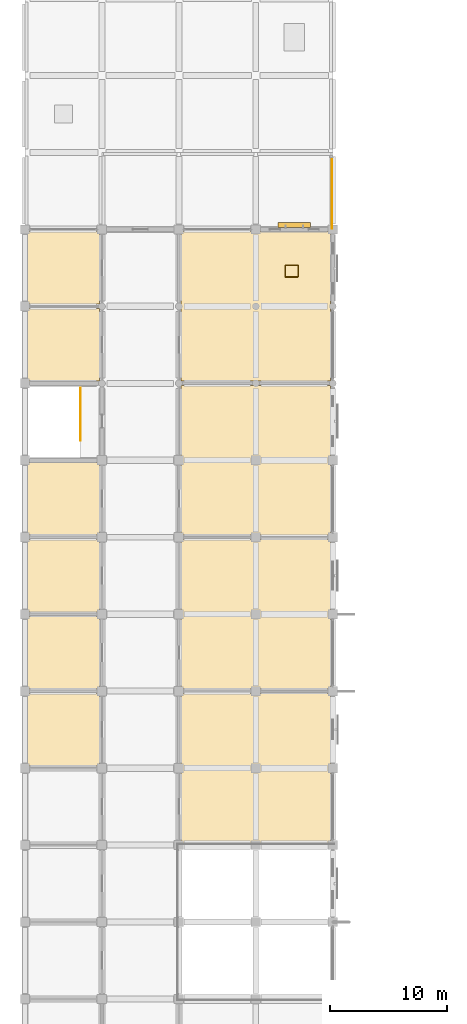
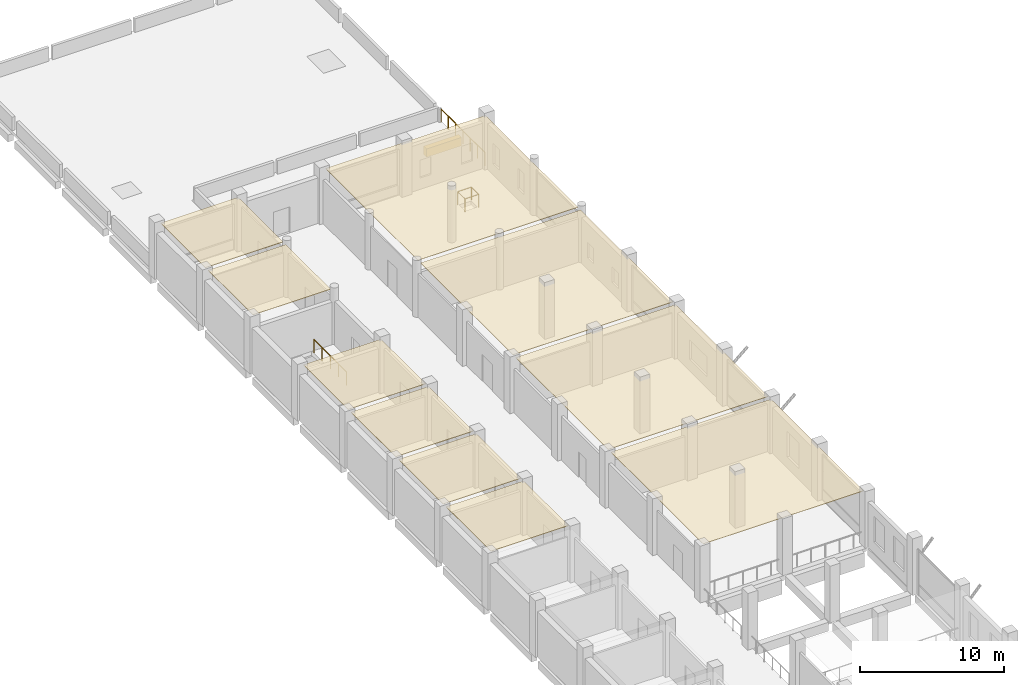
# One storey, part 34 of 34: 10 coverings, 3 railings, 1 shading device.
"""IFC4 building model written with IfcOpenShell, lengths in metres."""

from ifc_helpers import new_model, si_unit, direction, frame, origin, origin_2d, place, context, subcontext, project, spatial, polyline, rectangle, circle, outline, extrude, material, layer, layer_set, type_object, element, save


model = new_model("IFC4")

# Units and contexts
model_context = context("Model", 3, precision=1e-05, world=origin(), true_north=direction((0.0, 1.0)))
body_context = subcontext(model_context, "Body", "Model", "MODEL_VIEW")
ifc_project = project(units=[si_unit("LENGTHUNIT", "METRE"), si_unit("AREAUNIT", "SQUARE_METRE"), si_unit("VOLUMEUNIT", "CUBIC_METRE"), si_unit("PLANEANGLEUNIT", "RADIAN"), si_unit("MASSUNIT", "GRAM", prefix="KILO")], contexts=[model_context])

# Site, building, storey
site_placement = place(None, origin())
site = spatial("IfcSite", under=ifc_project, at=site_placement, CompositionType="ELEMENT")
building_placement = place(site_placement, origin())
building = spatial("IfcBuilding", under=site, at=building_placement, Name="Rusizi Kubbe Research Institute", CompositionType="ELEMENT")
storey_placement = place(building_placement, frame((0.0, 0.0, 5.39990234375)))
storey = spatial("IfcBuildingStorey", under=building, at=storey_placement, Name="L01", CompositionType="ELEMENT", Elevation=5.39990234375)

# Coverings
ifc_material_1 = material(Name="Mineral-Fibre Acoustic Laboratory Ceiling", Category="masonry")
ifc_layer_1 = layer(ifc_material_1, 0.0400390625)
ifc_layer_set_1 = layer_set([ifc_layer_1], Name="Mineral-Fibre Acoustic Laboratory Ceiling")
covering_type_1 = type_object("IfcCoveringType", Name="CL-ACOUSTIC", PredefinedType="CEILING", material=ifc_layer_set_1)
covering_1_placement = place(storey_placement, frame((0.0, 0.0, 4.41015625)))
element("IfcCovering", 1, at=covering_1_placement, inside=storey, type_object=covering_type_1, Name="Service Spine Autoclave Room Ceiling L01-WSP-16", PredefinedType="CEILING", context=body_context, shape_type="SweptSolid", body=[
    extrude(outline(polyline([(0.18994140625, 105.7900390625), (6.409912109375, 105.7900390625), (6.409912109375, 112.010009765625), (0.18994140625, 112.010009765625), (0.18994140625, 105.7900390625)])), origin(), (0.0, 0.0, 1.0), 0.0400390625),
])
covering_2_placement = place(storey_placement, frame((0.0, 0.0, 4.41015625)))
element("IfcCovering", 2, at=covering_2_placement, inside=storey, type_object=covering_type_1, Name="Service Spine Autoclave Room Ceiling L01-WSP-18", PredefinedType="CEILING", context=body_context, shape_type="SweptSolid", body=[
    extrude(outline(polyline([(0.18994140625, 118.989990234375), (6.409912109375, 118.989990234375), (6.409912109375, 125.2099609375), (0.18994140625, 125.2099609375), (0.18994140625, 118.989990234375)])), origin(), (0.0, 0.0, 1.0), 0.0400390625),
])
covering_3_placement = place(storey_placement, frame((0.0, 0.0, 4.41015625)))
element("IfcCovering", 3, at=covering_3_placement, inside=storey, type_object=covering_type_1, Name="Service Spine Autoclave Room Ceiling L01-WSP-20", PredefinedType="CEILING", context=body_context, shape_type="SweptSolid", body=[
    extrude(outline(polyline([(0.18994140625, 132.18994140625), (6.409912109375, 132.18994140625), (6.409912109375, 138.409912109375), (0.18994140625, 138.409912109375), (0.18994140625, 132.18994140625)])), origin(), (0.0, 0.0, 1.0), 0.0400390625),
])
covering_4_placement = place(storey_placement, frame((0.0, 0.0, 4.41015625)))
element("IfcCovering", 4, at=covering_4_placement, inside=storey, type_object=covering_type_1, Name="Computational Dry Laboratory Ceiling L01-NW-06", PredefinedType="CEILING", context=body_context, shape_type="SweptSolid", body=[
    extrude(outline(polyline([(13.389892578125, 92.590087890625), (26.2099609375, 92.590087890625), (26.2099609375, 105.409912109375), (13.389892578125, 105.409912109375), (13.389892578125, 92.590087890625)])), origin(), (0.0, 0.0, 1.0), 0.0400390625),
])
covering_5_placement = place(storey_placement, frame((0.0, 0.0, 4.41015625)))
element("IfcCovering", 5, at=covering_5_placement, inside=storey, type_object=covering_type_1, Name="Write-up Office Ceiling L01-NW-07", PredefinedType="CEILING", context=body_context, shape_type="SweptSolid", body=[
    extrude(outline(polyline([(13.389892578125, 105.7900390625), (26.2099609375, 105.7900390625), (26.2099609375, 118.610107421875), (13.389892578125, 118.610107421875), (13.389892578125, 105.7900390625)])), origin(), (0.0, 0.0, 1.0), 0.0400390625),
])
covering_6_placement = place(storey_placement, frame((0.0, 0.0, 4.41015625)))
element("IfcCovering", 6, at=covering_6_placement, inside=storey, type_object=covering_type_1, Name="Bioscience Wet Laboratory Ceiling L01-NW-08", PredefinedType="CEILING", context=body_context, shape_type="SweptSolid", body=[
    extrude(outline(polyline([(13.389892578125, 118.989990234375), (26.2099609375, 118.989990234375), (26.2099609375, 131.81005859375), (13.389892578125, 131.81005859375), (13.389892578125, 118.989990234375)])), origin(), (0.0, 0.0, 1.0), 0.0400390625),
])
covering_7_placement = place(storey_placement, frame((0.0, 0.0, 4.41015625)))
element("IfcCovering", 7, at=covering_7_placement, inside=storey, type_object=covering_type_1, Name="Computational Dry Laboratory Ceiling L01-NW-09", PredefinedType="CEILING", context=body_context, shape_type="SweptSolid", body=[
    extrude(outline(polyline([(13.389892578125, 132.18994140625), (26.2099609375, 132.18994140625), (26.2099609375, 145.010009765625), (13.389892578125, 145.010009765625), (13.389892578125, 132.18994140625)])), origin(), (0.0, 0.0, 1.0), 0.0400390625),
])
ifc_material_2 = material(Name="Flush Cleanroom Aluminium HEPA Ceiling Grid", Category="aluminium")
ifc_layer_2 = layer(ifc_material_2, 0.044921875)
ifc_layer_set_2 = layer_set([ifc_layer_2], Name="Flush Cleanroom Aluminium HEPA Ceiling Grid")
covering_type_2 = type_object("IfcCoveringType", Name="CL-HEPA", PredefinedType="CEILING", material=ifc_layer_set_2)
covering_8_placement = place(storey_placement, frame((0.0, 0.0, 4.405029296875)))
element("IfcCovering", 8, at=covering_8_placement, inside=storey, type_object=covering_type_2, Name="Clean Room Metrology Laboratory Ceiling L01-WSP-15", PredefinedType="CEILING", context=body_context, shape_type="SweptSolid", body=[
    extrude(outline(polyline([(0.18994140625, 99.18994140625), (6.409912109375, 99.18994140625), (6.409912109375, 105.409912109375), (0.18994140625, 105.409912109375), (0.18994140625, 99.18994140625)])), origin(), (0.0, 0.0, 1.0), 0.045166015625),
])
covering_9_placement = place(storey_placement, frame((0.0, 0.0, 4.405029296875)))
element("IfcCovering", 9, at=covering_9_placement, inside=storey, type_object=covering_type_2, Name="Clean Room Metrology Laboratory Ceiling L01-WSP-17", PredefinedType="CEILING", context=body_context, shape_type="SweptSolid", body=[
    extrude(outline(polyline([(0.18994140625, 112.389892578125), (6.409912109375, 112.389892578125), (6.409912109375, 118.610107421875), (0.18994140625, 118.610107421875), (0.18994140625, 112.389892578125)])), origin(), (0.0, 0.0, 1.0), 0.045166015625),
])
covering_10_placement = place(storey_placement, frame((0.0, 0.0, 4.405029296875)))
element("IfcCovering", 10, at=covering_10_placement, inside=storey, type_object=covering_type_2, Name="Clean Room Metrology Laboratory Ceiling L01-WSP-21", PredefinedType="CEILING", context=body_context, shape_type="SweptSolid", body=[
    extrude(outline(polyline([(0.18994140625, 138.7900390625), (6.409912109375, 138.7900390625), (6.409912109375, 145.010009765625), (0.18994140625, 145.010009765625), (0.18994140625, 138.7900390625)])), origin(), (0.0, 0.0, 1.0), 0.045166015625),
])

# Railings
ifc_material_3 = material(Name="Architectural Painted Steel Balustrade", Category="steel")
railing_type_1 = type_object("IfcRailingType", Name="GR-EXT", PredefinedType="GUARDRAIL", material=ifc_material_3)
railing_1_placement = place(storey_placement, frame((26.320068359375, 145.280029296875, 0.0)))
element("IfcRailing", 11, at=railing_1_placement, inside=storey, type_object=railing_type_1, Name="Roof Terrace Guard L01-01", PredefinedType="GUARDRAIL", context=body_context, shape_type="SweptSolid", body=[
    extrude(circle(Radius=0.02392578125, at=origin_2d()), frame((0.0, 0.0, 1.09619140625), z_axis=(0.0, 1.0, 0.0), x_axis=(-1.0, 0.0, 0.0)), (0.0, 0.0, 1.0), 6.099853515625),
    extrude(circle(Radius=0.02099609375, at=origin_2d()), origin(), (0.0, 0.0, 1.0), 1.072021484375),
    extrude(circle(Radius=0.02099609375, at=origin_2d()), frame((0.0, 1.0166015625, 0.0)), (0.0, 0.0, 1.0), 1.072021484375),
    extrude(circle(Radius=0.02099609375, at=origin_2d()), frame((0.0, 2.033203125, 0.0)), (0.0, 0.0, 1.0), 1.072021484375),
    extrude(circle(Radius=0.02099609375, at=origin_2d()), frame((0.0, 3.0498046875, 0.0)), (0.0, 0.0, 1.0), 1.072021484375),
    extrude(circle(Radius=0.02099609375, at=origin_2d()), frame((0.0, 4.066650390625, 0.0)), (0.0, 0.0, 1.0), 1.072021484375),
    extrude(circle(Radius=0.02099609375, at=origin_2d()), frame((0.0, 5.083251953125, 0.0)), (0.0, 0.0, 1.0), 1.072021484375),
    extrude(circle(Radius=0.02099609375, at=origin_2d()), frame((0.0, 6.099853515625, 0.0)), (0.0, 0.0, 1.0), 1.072021484375),
])
ifc_material_4 = material(Name="Painted Steel Stair Guard", Category="steel")
railing_type_2 = type_object("IfcRailingType", Name="GR-STAIR", PredefinedType="GUARDRAIL", material=ifc_material_4)
railing_2_placement = place(storey_placement, frame((4.75, 131.6201171875, 0.0)))
element("IfcRailing", 12, at=railing_2_placement, inside=storey, type_object=railing_type_2, Name="Top Landing Well Guard ST6 L01", PredefinedType="GUARDRAIL", context=body_context, shape_type="SweptSolid", body=[
    extrude(circle(Radius=0.02392578125, at=origin_2d()), frame((0.0, 0.0, 1.09619140625), z_axis=(0.0, -1.0, 0.0), x_axis=(1.0, 0.0, 0.0)), (0.0, 0.0, 1.0), 4.510009765625),
    extrude(circle(Radius=0.02099609375, at=origin_2d()), origin(), (0.0, 0.0, 1.0), 1.072021484375),
    extrude(circle(Radius=0.02099609375, at=origin_2d()), frame((0.0, -1.12744140625, 0.0)), (0.0, 0.0, 1.0), 1.072021484375),
    extrude(circle(Radius=0.02099609375, at=origin_2d()), frame((0.0, -2.2548828125, 0.0)), (0.0, 0.0, 1.0), 1.072021484375),
    extrude(circle(Radius=0.02099609375, at=origin_2d()), frame((0.0, -3.382568359375, 0.0)), (0.0, 0.0, 1.0), 1.072021484375),
    extrude(circle(Radius=0.02099609375, at=origin_2d()), frame((0.0, -4.510009765625, 0.0)), (0.0, 0.0, 1.0), 1.072021484375),
])
railing_3_placement = place(storey_placement, frame((22.320068359375, 141.1201171875, 0.0)))
element("IfcRailing", 13, at=railing_3_placement, inside=storey, type_object=railing_type_2, Name="Service Riser Guard L01 NORTHB", PredefinedType="GUARDRAIL", context=body_context, shape_type="SweptSolid", body=[
    extrude(circle(Radius=0.02392578125, at=origin_2d()), frame((0.0, 0.0, 1.09619140625), z_axis=(1.0, 0.0, 0.0), x_axis=(0.0, 1.0, 0.0)), (0.0, 0.0, 1.0), 1.10986328125),
    extrude(circle(Radius=0.02392578125, at=origin_2d()), frame((1.10986328125, 0.0, 1.09619140625), z_axis=(0.0, 1.0, 0.0), x_axis=(-1.0, 0.0, 0.0)), (0.0, 0.0, 1.0), 1.009765625),
    extrude(circle(Radius=0.02392578125, at=origin_2d()), frame((1.10986328125, 1.009765625, 1.09619140625), z_axis=(-1.0, 0.0, 0.0), x_axis=(0.0, -1.0, 0.0)), (0.0, 0.0, 1.0), 1.10986328125),
    extrude(circle(Radius=0.02392578125, at=origin_2d()), frame((0.0, 1.009765625, 1.09619140625), z_axis=(0.0, -1.0, 0.0), x_axis=(1.0, 0.0, 0.0)), (0.0, 0.0, 1.0), 1.009765625),
    extrude(circle(Radius=0.02099609375, at=origin_2d()), origin(), (0.0, 0.0, 1.0), 1.072021484375),
    extrude(circle(Radius=0.02099609375, at=origin_2d()), frame((1.10986328125, 0.0, 0.0)), (0.0, 0.0, 1.0), 1.072021484375),
    extrude(circle(Radius=0.02099609375, at=origin_2d()), frame((1.10986328125, 1.009765625, 0.0)), (0.0, 0.0, 1.0), 1.072021484375),
    extrude(circle(Radius=0.02099609375, at=origin_2d()), frame((0.0, 1.009765625, 0.0)), (0.0, 0.0, 1.0), 1.072021484375),
])

# Shading device
ifc_material_5 = material(Name="Extruded Aluminium Solar Louver", Category="aluminium")
shading_device_type = type_object("IfcShadingDeviceType", Name="SD-02", PredefinedType="SHUTTER", material=ifc_material_5)
shading_device_placement = place(storey_placement, frame((23.10009765625, 145.58251953125, 2.26025390625), z_axis=(0.0, 0.0, 1.0), x_axis=(1.0, 0.0, 0.0)))
element("IfcShadingDevice", 14, at=shading_device_placement, inside=storey, type_object=shading_device_type, Name="Solar Shading Louver SD-02-013", PredefinedType="SHUTTER", context=body_context, shape_type="SweptSolid", body=[
    extrude(rectangle(XDim=2.800048828125, YDim=0.419921875, at=origin_2d()), origin(), (0.0, 0.0, 1.0), 0.699951171875),
])

save(model, "model.ifc")
